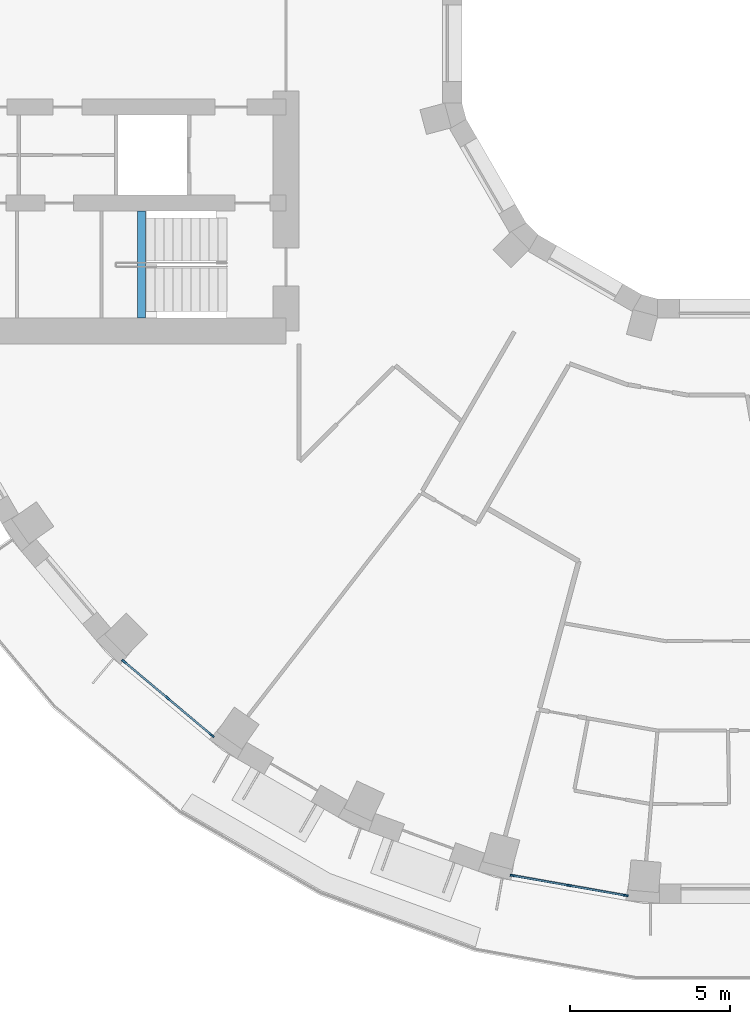
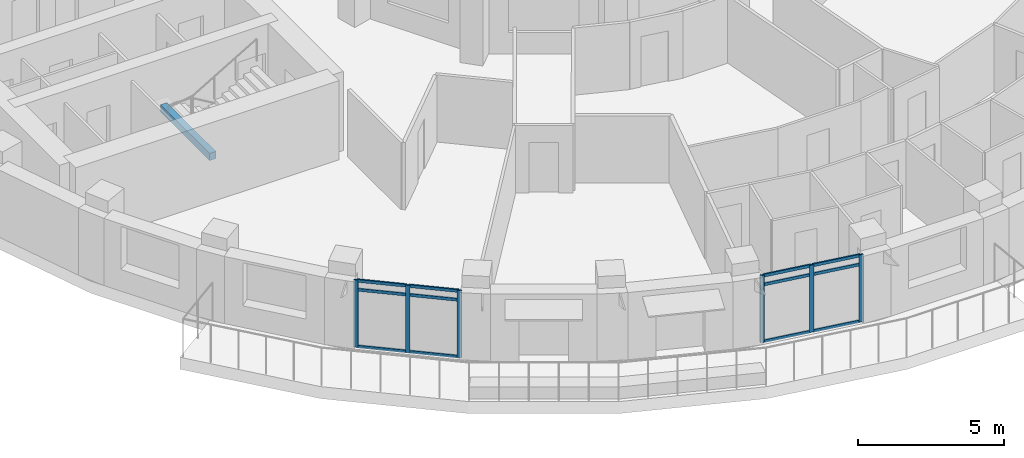
# One storey, part 2 of 14: 18 members, 1 beam, 2 elements without a shape of their own.
"""IFC4 building model written with IfcOpenShell, lengths in metres."""

from ifc_helpers import new_model, si_unit, direction, frame, origin, origin_2d, place, context, subcontext, project, spatial, rectangle, extrude, material, layer, layer_set, material_profile, profile_set, type_object, element, aggregate, save


model = new_model("IFC4")

# Units and contexts
model_context = context("Model", 3, precision=1e-05, world=origin(), true_north=direction((0.0, 1.0)))
body_context = subcontext(model_context, "Body", "Model", "MODEL_VIEW")
ifc_project = project(units=[si_unit("LENGTHUNIT", "METRE"), si_unit("AREAUNIT", "SQUARE_METRE"), si_unit("VOLUMEUNIT", "CUBIC_METRE"), si_unit("PLANEANGLEUNIT", "RADIAN"), si_unit("MASSUNIT", "GRAM", prefix="KILO")], contexts=[model_context])

# Site, building, storey
site_placement = place(None, origin())
site = spatial("IfcSite", under=ifc_project, at=site_placement, CompositionType="ELEMENT")
building_placement = place(site_placement, origin())
building = spatial("IfcBuilding", under=site, at=building_placement, Name="Saqina Gate Tower", CompositionType="ELEMENT")
storey_placement = place(building_placement, frame((0.0, 0.0, 131.5)))
storey = spatial("IfcBuildingStorey", under=building, at=storey_placement, Name="L37", CompositionType="ELEMENT", Elevation=131.5)

# Curtain wall, members
ifc_material_1 = material(Name="Aluminium glazing", Category="aluminium")
ifc_layer = layer(ifc_material_1, 0.159912109375)
ifc_layer_set = layer_set([ifc_layer], Name="CWT-4")
curtain_wall_type = type_object("IfcCurtainWallType", Name="CWT-4", PredefinedType="NOTDEFINED", material=ifc_layer_set)
curtain_wall_1_placement = place(storey_placement, origin())
curtain_wall_1 = element("IfcCurtainWall", 1, at=curtain_wall_1_placement, inside=storey, type_object=curtain_wall_type, Name="Terrace lounge glazing facet 23", PredefinedType="NOTDEFINED")
ifc_material_2 = material(Name="Aluminium", Category="aluminium")
ifc_material_profile_1 = material_profile(ifc_material_2, rectangle(XDim=0.06005859375, YDim=0.159912109375, at=origin_2d()), Name="Aluminium 60x160")
ifc_profile_set_1 = profile_set([ifc_material_profile_1], Name="Aluminium")
member_type_1 = type_object("IfcMemberType", Name="CWT-4M", PredefinedType="MULLION", material=ifc_profile_set_1)
member_1_placement = place(storey_placement, frame((-18.567138671875, -19.33642578125, 0.0), z_axis=(0.0, 0.0, 1.0), x_axis=(0.642790825553, 0.766041744675, 0.0)))
member_1 = element("IfcMember", 2, at=member_1_placement, type_object=member_type_1, Name="CW4-23 mullion 1", PredefinedType="MULLION", context=body_context, shape_type="SweptSolid", body=[
    extrude(rectangle(XDim=0.06005859375, YDim=0.159912109375, at=origin_2d()), origin(), (0.0, 0.0, 1.0), 2.800048828125),
])
member_2_placement = place(storey_placement, frame((-17.19287109375, -20.489501953125, 0.0), z_axis=(0.0, 0.0, 1.0), x_axis=(0.642790825553, 0.766041744675, 0.0)))
member_2 = element("IfcMember", 3, at=member_2_placement, type_object=member_type_1, Name="CW4-23 mullion 2", PredefinedType="MULLION", context=body_context, shape_type="SweptSolid", body=[
    extrude(rectangle(XDim=0.06005859375, YDim=0.159912109375, at=origin_2d()), origin(), (0.0, 0.0, 1.0), 2.800048828125),
])
member_3_placement = place(storey_placement, frame((-15.818603515625, -21.642822265625, 0.0), z_axis=(0.0, 0.0, 1.0), x_axis=(0.642790825553, 0.766041744675, 0.0)))
member_3 = element("IfcMember", 4, at=member_3_placement, type_object=member_type_1, Name="CW4-23 mullion 3", PredefinedType="MULLION", context=body_context, shape_type="SweptSolid", body=[
    extrude(rectangle(XDim=0.06005859375, YDim=0.159912109375, at=origin_2d()), origin(), (0.0, 0.0, 1.0), 2.800048828125),
])

curtain_wall_2_placement = place(storey_placement, origin())
curtain_wall_2 = element("IfcCurtainWall", 5, at=curtain_wall_2_placement, inside=storey, type_object=curtain_wall_type, Name="Terrace lounge glazing facet 26", PredefinedType="NOTDEFINED")
member_4_placement = place(storey_placement, frame((-6.411376953125, -26.029296875, 0.0), z_axis=(0.0, 0.0, 1.0), x_axis=(0.17363832834, 0.984809489664, 0.0)))
member_4 = element("IfcMember", 6, at=member_4_placement, type_object=member_type_1, Name="CW4-26 mullion 1", PredefinedType="MULLION", context=body_context, shape_type="SweptSolid", body=[
    extrude(rectangle(XDim=0.06005859375, YDim=0.159912109375, at=origin_2d()), origin(), (0.0, 0.0, 1.0), 2.800048828125),
])
member_5_placement = place(storey_placement, frame((-4.64453125, -26.3408203125, 0.0), z_axis=(0.0, 0.0, 1.0), x_axis=(0.17363832834, 0.984809489664, 0.0)))
member_5 = element("IfcMember", 7, at=member_5_placement, type_object=member_type_1, Name="CW4-26 mullion 2", PredefinedType="MULLION", context=body_context, shape_type="SweptSolid", body=[
    extrude(rectangle(XDim=0.06005859375, YDim=0.159912109375, at=origin_2d()), origin(), (0.0, 0.0, 1.0), 2.800048828125),
])
member_6_placement = place(storey_placement, frame((-2.8779296875, -26.65234375, 0.0), z_axis=(0.0, 0.0, 1.0), x_axis=(0.17363832834, 0.984809489664, 0.0)))
member_6 = element("IfcMember", 8, at=member_6_placement, type_object=member_type_1, Name="CW4-26 mullion 3", PredefinedType="MULLION", context=body_context, shape_type="SweptSolid", body=[
    extrude(rectangle(XDim=0.06005859375, YDim=0.159912109375, at=origin_2d()), origin(), (0.0, 0.0, 1.0), 2.800048828125),
])

# Member
ifc_material_3 = material(Name="Aluminium", Category="aluminium")
ifc_material_profile_2 = material_profile(ifc_material_3, rectangle(XDim=0.06005859375, YDim=0.1201171875, at=origin_2d()), Name="Aluminium 60x120")
ifc_profile_set_2 = profile_set([ifc_material_profile_2], Name="Aluminium")
member_type_2 = type_object("IfcMemberType", Name="CWT-4T", PredefinedType="USERDEFINED", material=ifc_profile_set_2)
member_7_placement = place(storey_placement, frame((-18.5439453125, -19.355712890625, 0.030029296875), z_axis=(0.766023779865, -0.64281223439, 0.0), x_axis=(0.64281223439, 0.766023779865, 0.0)))
member_7 = element("IfcMember", 9, at=member_7_placement, type_object=member_type_2, Name="CW4-23 transom 1.1", ObjectType="TRANSOM", PredefinedType="USERDEFINED", context=body_context, shape_type="SweptSolid", body=[
    extrude(rectangle(XDim=0.06005859375, YDim=0.1201171875, at=origin_2d()), origin(), (0.0, 0.0, 1.0), 1.73388671875),
])

member_8_placement = place(storey_placement, frame((-18.5439453125, -19.355712890625, 2.39990234375), z_axis=(0.766023779865, -0.64281223439, 0.0), x_axis=(0.64281223439, 0.766023779865, 0.0)))
member_8 = element("IfcMember", 10, at=member_8_placement, type_object=member_type_2, Name="CW4-23 transom 1.2", ObjectType="TRANSOM", PredefinedType="USERDEFINED", context=body_context, shape_type="SweptSolid", body=[
    extrude(rectangle(XDim=0.06005859375, YDim=0.1201171875, at=origin_2d()), origin(), (0.0, 0.0, 1.0), 1.73388671875),
])

member_9_placement = place(storey_placement, frame((-18.5439453125, -19.355712890625, 2.77001953125), z_axis=(0.766023779865, -0.64281223439, 0.0), x_axis=(0.64281223439, 0.766023779865, 0.0)))
member_9 = element("IfcMember", 11, at=member_9_placement, type_object=member_type_2, Name="CW4-23 transom 1.3", ObjectType="TRANSOM", PredefinedType="USERDEFINED", context=body_context, shape_type="SweptSolid", body=[
    extrude(rectangle(XDim=0.06005859375, YDim=0.1201171875, at=origin_2d()), origin(), (0.0, 0.0, 1.0), 1.73388671875),
])

member_10_placement = place(storey_placement, frame((-17.169921875, -20.5087890625, 0.030029296875), z_axis=(0.766012629291, -0.642825522025, 0.0), x_axis=(0.642825522025, 0.766012629291, 0.0)))
member_10 = element("IfcMember", 12, at=member_10_placement, type_object=member_type_2, Name="CW4-23 transom 2.1", ObjectType="TRANSOM", PredefinedType="USERDEFINED", context=body_context, shape_type="SweptSolid", body=[
    extrude(rectangle(XDim=0.06005859375, YDim=0.1201171875, at=origin_2d()), origin(), (0.0, 0.0, 1.0), 1.734130859375),
])

member_11_placement = place(storey_placement, frame((-17.169921875, -20.5087890625, 2.39990234375), z_axis=(0.766012629291, -0.642825522025, 0.0), x_axis=(0.642825522025, 0.766012629291, 0.0)))
member_11 = element("IfcMember", 13, at=member_11_placement, type_object=member_type_2, Name="CW4-23 transom 2.2", ObjectType="TRANSOM", PredefinedType="USERDEFINED", context=body_context, shape_type="SweptSolid", body=[
    extrude(rectangle(XDim=0.06005859375, YDim=0.1201171875, at=origin_2d()), origin(), (0.0, 0.0, 1.0), 1.734130859375),
])

member_12_placement = place(storey_placement, frame((-17.169921875, -20.5087890625, 2.77001953125), z_axis=(0.766012629291, -0.642825522025, 0.0), x_axis=(0.642825522025, 0.766012629291, 0.0)))
member_12 = element("IfcMember", 14, at=member_12_placement, type_object=member_type_2, Name="CW4-23 transom 2.3", ObjectType="TRANSOM", PredefinedType="USERDEFINED", context=body_context, shape_type="SweptSolid", body=[
    extrude(rectangle(XDim=0.06005859375, YDim=0.1201171875, at=origin_2d()), origin(), (0.0, 0.0, 1.0), 1.734130859375),
])

aggregate(curtain_wall_1, [member_1, member_2, member_3, member_7, member_8, member_9, member_10, member_11, member_12])

member_13_placement = place(storey_placement, frame((-6.381591796875, -26.03466796875, 0.030029296875), z_axis=(0.98481331257, -0.173616644895, 0.0), x_axis=(0.173616644895, 0.98481331257, 0.0)))
member_13 = element("IfcMember", 15, at=member_13_placement, type_object=member_type_2, Name="CW4-26 transom 1.1", ObjectType="TRANSOM", PredefinedType="USERDEFINED", context=body_context, shape_type="SweptSolid", body=[
    extrude(rectangle(XDim=0.06005859375, YDim=0.1201171875, at=origin_2d()), origin(), (0.0, 0.0, 1.0), 1.73388671875),
])

member_14_placement = place(storey_placement, frame((-6.381591796875, -26.03466796875, 2.39990234375), z_axis=(0.98481331257, -0.173616644895, 0.0), x_axis=(0.173616644895, 0.98481331257, 0.0)))
member_14 = element("IfcMember", 16, at=member_14_placement, type_object=member_type_2, Name="CW4-26 transom 1.2", ObjectType="TRANSOM", PredefinedType="USERDEFINED", context=body_context, shape_type="SweptSolid", body=[
    extrude(rectangle(XDim=0.06005859375, YDim=0.1201171875, at=origin_2d()), origin(), (0.0, 0.0, 1.0), 1.73388671875),
])

member_15_placement = place(storey_placement, frame((-6.381591796875, -26.03466796875, 2.77001953125), z_axis=(0.98481331257, -0.173616644895, 0.0), x_axis=(0.173616644895, 0.98481331257, 0.0)))
member_15 = element("IfcMember", 17, at=member_15_placement, type_object=member_type_2, Name="CW4-26 transom 1.3", ObjectType="TRANSOM", PredefinedType="USERDEFINED", context=body_context, shape_type="SweptSolid", body=[
    extrude(rectangle(XDim=0.06005859375, YDim=0.1201171875, at=origin_2d()), origin(), (0.0, 0.0, 1.0), 1.73388671875),
])

member_16_placement = place(storey_placement, frame((-4.614990234375, -26.34619140625, 0.030029296875), z_axis=(0.98481331257, -0.173616644895, 0.0), x_axis=(0.173616644895, 0.98481331257, 0.0)))
member_16 = element("IfcMember", 18, at=member_16_placement, type_object=member_type_2, Name="CW4-26 transom 2.1", ObjectType="TRANSOM", PredefinedType="USERDEFINED", context=body_context, shape_type="SweptSolid", body=[
    extrude(rectangle(XDim=0.06005859375, YDim=0.1201171875, at=origin_2d()), origin(), (0.0, 0.0, 1.0), 1.73388671875),
])

member_17_placement = place(storey_placement, frame((-4.614990234375, -26.34619140625, 2.39990234375), z_axis=(0.98481331257, -0.173616644895, 0.0), x_axis=(0.173616644895, 0.98481331257, 0.0)))
member_17 = element("IfcMember", 19, at=member_17_placement, type_object=member_type_2, Name="CW4-26 transom 2.2", ObjectType="TRANSOM", PredefinedType="USERDEFINED", context=body_context, shape_type="SweptSolid", body=[
    extrude(rectangle(XDim=0.06005859375, YDim=0.1201171875, at=origin_2d()), origin(), (0.0, 0.0, 1.0), 1.73388671875),
])

member_18_placement = place(storey_placement, frame((-4.614990234375, -26.34619140625, 2.77001953125), z_axis=(0.98481331257, -0.173616644895, 0.0), x_axis=(0.173616644895, 0.98481331257, 0.0)))
member_18 = element("IfcMember", 20, at=member_18_placement, type_object=member_type_2, Name="CW4-26 transom 2.3", ObjectType="TRANSOM", PredefinedType="USERDEFINED", context=body_context, shape_type="SweptSolid", body=[
    extrude(rectangle(XDim=0.06005859375, YDim=0.1201171875, at=origin_2d()), origin(), (0.0, 0.0, 1.0), 1.73388671875),
])

aggregate(curtain_wall_2, [member_4, member_5, member_6, member_13, member_14, member_15, member_16, member_17, member_18])

# Beam
ifc_material_4 = material(Name="Concrete C40/50", Category="concrete")
ifc_material_profile_3 = material_profile(ifc_material_4, rectangle(XDim=0.25, YDim=0.300048828125, at=origin_2d()), Name="STAIR LANDING BEAM")
ifc_profile_set_3 = profile_set([ifc_material_profile_3], Name="Concrete C40/50")
beam_type = type_object("IfcBeamType", Name="STAIR LANDING BEAM", PredefinedType="BEAM", material=ifc_profile_set_3)
beam_placement = place(storey_placement, frame((-18.02001953125, -8.60009765625, 1.25), z_axis=(0.0, 1.0, 0.0), x_axis=(-1.0, 0.0, 0.0)))
element("IfcBeam", 21, at=beam_placement, inside=storey, type_object=beam_type, Name="EXIT STAIR 4 LANDING BEAM", PredefinedType="BEAM", context=body_context, shape_type="SweptSolid", body=[
    extrude(rectangle(XDim=0.25, YDim=0.300048828125, at=origin_2d()), origin(), (0.0, 0.0, 1.0), 3.35009765625),
])

save(model, "model.ifc")
